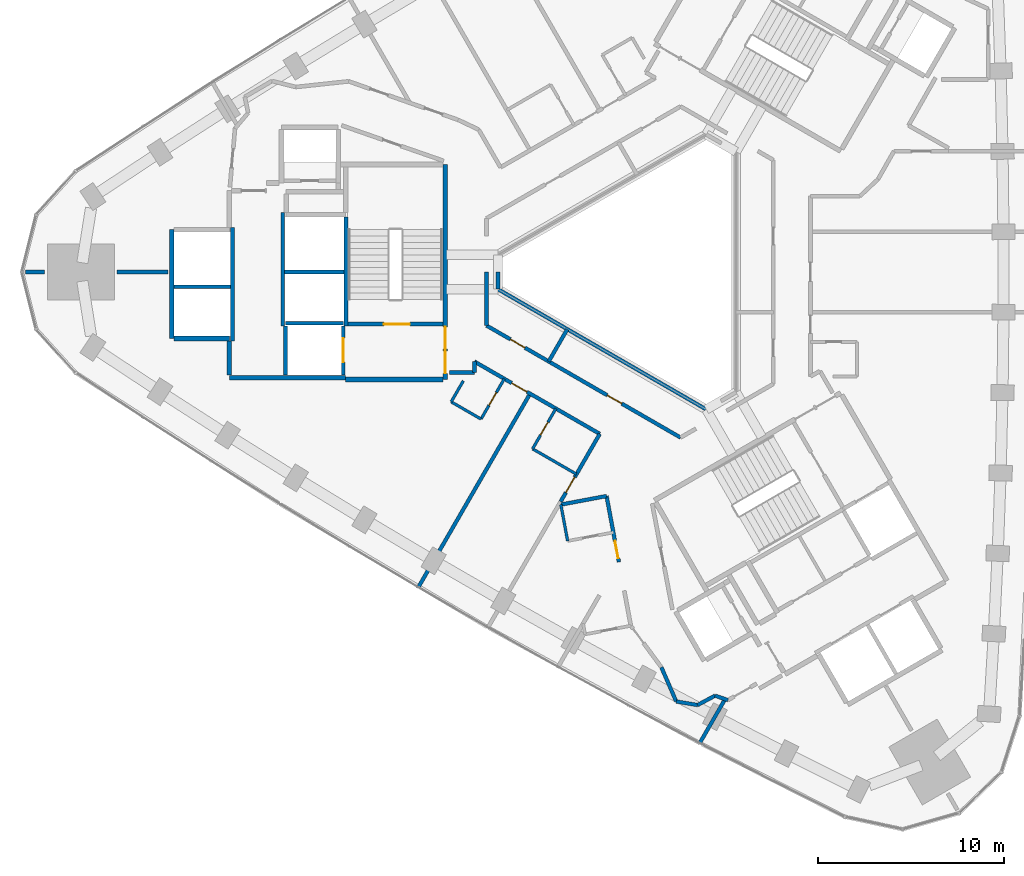
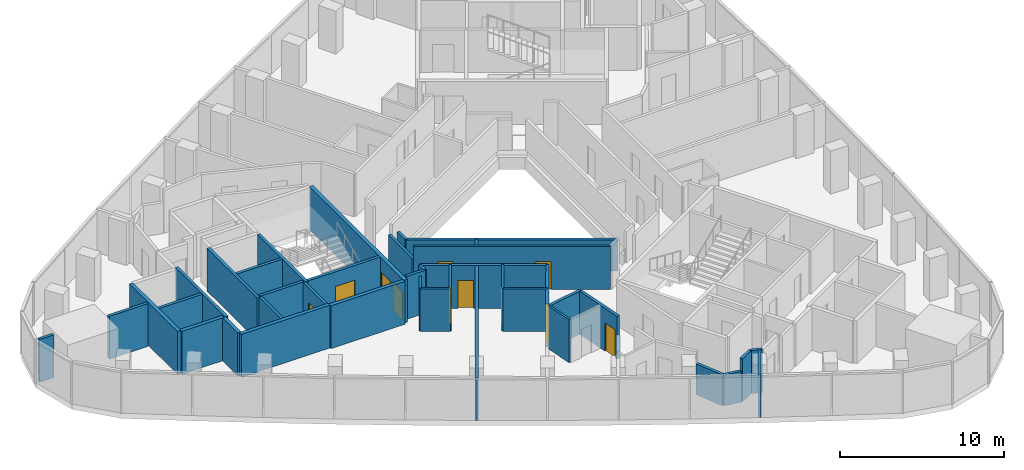
# One storey, part 8 of 13: 40 walls, 11 doors, 11 openings.
"""IFC4 building model written with IfcOpenShell, lengths in metres."""

import ifcopenshell
import ifcopenshell.guid

model = None  # the IFC model being written
_history = None  # IfcOwnerHistory: only IFC2X3 demands one
_inside = {}  # id of a spatial element -> (the spatial element, [elements in it])
_under = {}  # id of a project, library or spatial element -> (it, [spatial elements below it])
_declared = {}  # id of a project -> (the project, [libraries it declares])
_typed = {}  # id of a type object -> (the type object, [elements of that type])
_made_of = {}  # id of a material, layer set ... -> (it, [elements and type objects made of it])


def new_model(schema):
    """Start an empty IFC model of exactly this schema.

    Asked for "IFC4X3", IfcOpenShell would pick the latest addendum, in which some entities
    have other attributes; the version numbers below select the first issue.
    IFC2X3 requires an IfcOwnerHistory on every rooted entity: one is made here for all.
    """
    global model, _history
    if schema == "IFC4X3":
        model = ifcopenshell.file(schema_version=(4, 3, 0, 0))
    else:
        model = ifcopenshell.file(schema=schema)
    _inside.clear()
    _under.clear()
    _declared.clear()
    _typed.clear()
    _made_of.clear()
    _history = None
    if model.schema == "IFC2X3":
        org = make("IfcOrganization", Name="unknown")
        user = make(
            "IfcPersonAndOrganization",
            ThePerson=make("IfcPerson", FamilyName="unknown"),
            TheOrganization=org,
        )
        app = make(
            "IfcApplication",
            ApplicationDeveloper=org,
            Version="unknown",
            ApplicationFullName="unknown",
            ApplicationIdentifier="unknown",
        )
        _history = make(
            "IfcOwnerHistory",
            OwningUser=user,
            OwningApplication=app,
            ChangeAction="ADDED",
            CreationDate=0,
        )
    return model


def make(cls, **values):
    """One entity of the class cls with the attributes given. An attribute that is None is left unset."""
    return model.create_entity(
        cls, **{name: value for name, value in values.items() if value is not None}
    )


def rooted(cls, **values):
    """An entity with a GlobalId (a new one), such as an element, a storey or a relation."""
    return make(cls, GlobalId=ifcopenshell.guid.new(), OwnerHistory=_history, **values)


def si_unit(unit_type, name, prefix=None):
    """IfcSIUnit, for example si_unit("LENGTHUNIT", "METRE", prefix="MILLI")."""
    return make("IfcSIUnit", UnitType=unit_type, Prefix=prefix, Name=name)


def assignment(units):
    """IfcUnitAssignment: the units of a project."""
    return None if units is None else make("IfcUnitAssignment", Units=units)


def point(xyz):
    """IfcCartesianPoint."""
    return None if xyz is None else make("IfcCartesianPoint", Coordinates=xyz)


def direction(xyz):
    """IfcDirection."""
    return None if xyz is None else make("IfcDirection", DirectionRatios=xyz)


def frame(location, z_axis=None, x_axis=None):
    """IfcAxis2Placement3D, a coordinate frame: its origin and axes. An axis left out is left unset."""
    return make(
        "IfcAxis2Placement3D",
        Location=point(location),
        Axis=direction(z_axis),
        RefDirection=direction(x_axis),
    )


def frame_2d(location, x_axis=None):
    """IfcAxis2Placement2D, a coordinate frame in the plane: its origin and x axis."""
    return make(
        "IfcAxis2Placement2D", Location=point(location), RefDirection=direction(x_axis)
    )


def origin():
    """The frame at (0, 0, 0) with its axes left unset."""
    return frame((0.0, 0.0, 0.0))


def place(relative_to, where):
    """IfcLocalPlacement: puts the frame where relative to a parent placement (None: the world)."""
    return make(
        "IfcLocalPlacement", PlacementRelTo=relative_to, RelativePlacement=where
    )


def context(
    kind, dimensions, precision=None, world=None, true_north=None, identifier=None
):
    """IfcGeometricRepresentationContext, for example the 3D "Model" context."""
    return make(
        "IfcGeometricRepresentationContext",
        ContextIdentifier=identifier,
        ContextType=kind,
        CoordinateSpaceDimension=dimensions,
        Precision=precision,
        WorldCoordinateSystem=world,
        TrueNorth=true_north,
    )


def subcontext(parent, identifier, kind, view, scale=None):
    """IfcGeometricRepresentationSubContext, for example "Body" below "Model"."""
    return make(
        "IfcGeometricRepresentationSubContext",
        ContextIdentifier=identifier,
        ContextType=kind,
        ParentContext=parent,
        TargetScale=scale,
        TargetView=view,
    )


def project(units=None, contexts=None):
    """IfcProject with its units and contexts."""
    return rooted(
        "IfcProject",
        Name="project",
        RepresentationContexts=contexts,
        UnitsInContext=assignment(units),
    )


def spatial(cls, under=None, at=None, **own):
    """A site, building, storey or space (cls), placed at a placement, below another one or the project."""
    s = rooted(cls, ObjectPlacement=at, **own)
    if under is not None:
        _under.setdefault(under.id(), (under, []))[1].append(s)
    return s


def profile(cls, at=None, kind="AREA", **sizes):
    """A parametric profile (cls). Its sizes go by their IFC names, for example OverallWidth=200.0."""
    return make(cls, ProfileType=kind, Position=at, **sizes)


def rectangle(**sizes):
    """IfcRectangleProfileDef."""
    return profile("IfcRectangleProfileDef", **sizes)


def extrude(swept, where, along, depth):
    """IfcExtrudedAreaSolid: the profile swept, set in the frame where, extruded along a direction by depth."""
    return make(
        "IfcExtrudedAreaSolid",
        SweptArea=swept,
        Position=where,
        ExtrudedDirection=direction(along),
        Depth=depth,
    )


def shape(context_of_items, identifier, shape_type, items):
    """IfcShapeRepresentation: the items that make up one representation, for example the "Body"."""
    return make(
        "IfcShapeRepresentation",
        ContextOfItems=context_of_items,
        RepresentationIdentifier=identifier,
        RepresentationType=shape_type,
        Items=items,
    )


def material(Name=None, Category=None):
    """IfcMaterial."""
    return make("IfcMaterial", Name=Name, Category=Category)


def layer(
    of_material, thickness, ventilated=None, Name=None, Category=None, Priority=None
):
    """IfcMaterialLayer: one layer of a wall or slab, of a material (None: an air gap)."""
    return make(
        "IfcMaterialLayer",
        Material=of_material,
        LayerThickness=thickness,
        IsVentilated=ventilated,
        Name=Name,
        Category=Category,
        Priority=Priority,
    )


def layer_set(layers, Name=None):
    """IfcMaterialLayerSet."""
    return make("IfcMaterialLayerSet", MaterialLayers=layers, LayerSetName=Name)


def made_of(thing, what):
    """Note that an element or type object is made of a material, layer set ...; save() writes the relation."""
    if what is not None:
        _made_of.setdefault(what.id(), (what, []))[1].append(thing)
    return thing


def type_object(cls, material=None, **own):
    """A type object (cls), such as IfcWallType, which elements share."""
    return made_of(rooted(cls, **own), material)


def element(
    cls,
    number,
    at=None,
    inside=None,
    cuts=None,
    type_object=None,
    material=None,
    context=None,
    identifier="Body",
    shape_type=None,
    held_by="IfcProductDefinitionShape",
    body=None,
    shapes=None,
    **own,
):
    """One element of the class cls, such as IfcWall. Its Tag is "e" and its number.

    at: its placement. inside: the storey or other place that contains it. cuts: it is an
    opening in that element (IfcRelVoidsElement). A single representation is given by context,
    identifier, shape_type and body (its items); several are given by shapes. held_by: the class
    of the entity that holds the representations. save() writes the other relations.
    """
    e = rooted(cls, Tag="e%d" % number, ObjectPlacement=at, **own)
    if body is not None:
        shapes = [shape(context, identifier, shape_type, body)]
    if shapes is not None:
        e.Representation = make(held_by, Representations=shapes)
    if inside is not None:
        _inside.setdefault(inside.id(), (inside, []))[1].append(e)
    if cuts is not None:
        rooted(
            "IfcRelVoidsElement", RelatingBuildingElement=cuts, RelatedOpeningElement=e
        )
    if type_object is not None:
        _typed.setdefault(type_object.id(), (type_object, []))[1].append(e)
    return made_of(e, material)


def fill(opening, filler):
    """IfcRelFillsElement: the door or window that sits in an opening."""
    return rooted(
        "IfcRelFillsElement",
        RelatingOpeningElement=opening,
        RelatedBuildingElement=filler,
    )


def aggregate(whole, parts):
    """IfcRelAggregates: a whole, such as a stair, and the parts it consists of."""
    return rooted("IfcRelAggregates", RelatingObject=whole, RelatedObjects=parts)


def save(model, path):
    """Write the relations noted so far, then the file.

    IfcRelAggregates (storeys below a building ...), IfcRelContainedInSpatialStructure (elements
    in a storey), IfcRelDefinesByType, IfcRelAssociatesMaterial and IfcRelDeclares: one each for
    every whole, place, type object, material and project.
    """
    for whole, parts in _under.values():
        aggregate(whole, parts)
    for where, things in _inside.values():
        rooted(
            "IfcRelContainedInSpatialStructure",
            RelatedElements=things,
            RelatingStructure=where,
        )
    for kind, things in _typed.values():
        rooted("IfcRelDefinesByType", RelatedObjects=things, RelatingType=kind)
    for what, things in _made_of.values():
        rooted("IfcRelAssociatesMaterial", RelatedObjects=things, RelatingMaterial=what)
    for by, libraries in _declared.values():
        rooted("IfcRelDeclares", RelatingContext=by, RelatedDefinitions=libraries)
    model.write(path)


model = new_model("IFC4")

# Units and contexts
model_context = context("Model", 3, precision=1e-05, world=origin(), true_north=direction((0.0, 1.0)))
body_context = subcontext(model_context, "Body", "Model", "MODEL_VIEW")
ifc_project = project(units=[si_unit("LENGTHUNIT", "METRE"), si_unit("AREAUNIT", "SQUARE_METRE"), si_unit("VOLUMEUNIT", "CUBIC_METRE"), si_unit("PLANEANGLEUNIT", "RADIAN"), si_unit("MASSUNIT", "GRAM", prefix="KILO")], contexts=[model_context])

# Site, building, storey
site_placement = place(None, origin())
site = spatial("IfcSite", under=ifc_project, at=site_placement, CompositionType="ELEMENT")
building_placement = place(site_placement, origin())
building = spatial("IfcBuilding", under=site, at=building_placement, Name="Tamra Quay Hotel Tower", CompositionType="ELEMENT")
storey_placement = place(building_placement, frame((0.0, 0.0, 132.39990234375)))
storey = spatial("IfcBuildingStorey", under=building, at=storey_placement, Name="L32", CompositionType="ELEMENT", Elevation=132.39990234375)

# Walls
ifc_material_1 = material(Name="Concrete M70", Category="concrete")
ifc_layer_1 = layer(ifc_material_1, 0.199951171875)
ifc_layer_set_1 = layer_set([ifc_layer_1], Name="Concrete M70 core wall 200")
wall_type_1 = type_object("IfcWallType", Name="Concrete M70 core wall 200", PredefinedType="SHEAR", material=ifc_layer_set_1)
wall_1_placement = place(storey_placement, frame((-16.162109375, 2.95068359375, 0.0), z_axis=(0.0, 0.0, 1.0), x_axis=(0.0, -1.0, 0.0)))
element("IfcWall", 1, at=wall_1_placement, inside=storey, type_object=wall_type_1, Name="CW2", PredefinedType="SHEAR", context=body_context, shape_type="SweptSolid", body=[
    extrude(rectangle(XDim=5.850830078125, YDim=0.199951171875, at=frame_2d((2.92529296875, 0.0))), origin(), (0.0, 0.0, 1.0), 3.2001953125),
])
for number, where, z_axis, x_axis, name in (
    (2, (-19.5625, -2.900146484375, 0.0), (0.0, 0.0, 1.0), (0.0, 1.0, 0.0), "CW2"),
    (3, (-22.26220703125, 2.400146484375, 0.0), (0.0, 0.0, 1.0), (0.0, -1.0, 0.0), "CW2"),
):
    element("IfcWall", number, at=place(storey_placement, frame(where, z_axis=z_axis, x_axis=x_axis)), inside=storey, type_object=wall_type_1, Name=name, PredefinedType="SHEAR", context=body_context, shape_type="SweptSolid", body=[
        extrude(rectangle(XDim=6.100341796875, YDim=0.199951171875, at=frame_2d((3.05029296875, 0.0))), origin(), (0.0, 0.0, 1.0), 3.2001953125),
    ])

# Wall, opening, door
wall_2_placement = place(storey_placement, frame((-10.96337890625, -2.800048828125, 0.0), z_axis=(0.0, 0.0, 1.0), x_axis=(-1.0, 0.0, 0.0)))
wall_2 = element("IfcWall", 4, at=wall_2_placement, inside=storey, type_object=wall_type_1, Name="CW2", PredefinedType="SHEAR", context=body_context, shape_type="SweptSolid", body=[
    extrude(rectangle(XDim=5.097900390625, YDim=0.199951171875, at=frame_2d((2.548828125, 0.0))), origin(), (0.0, 0.0, 1.0), 3.2001953125),
])
opening_1_placement = place(wall_2_placement, frame((1.77392578125, 0.0, 0.0)))
opening_1 = element("IfcOpeningElement", 5, at=opening_1_placement, cuts=wall_2, Name="Opening FD2", PredefinedType="OPENING", context=body_context, shape_type="SweptSolid", body=[
    extrude(rectangle(XDim=1.39990234375, YDim=2.10009765625, at=frame_2d((0.699951171875, 1.050048828125))), frame((0.0, 0.10986328125, 0.0), z_axis=(0.0, -1.0, 0.0), x_axis=(1.0, 0.0, 0.0)), (0.0, 0.0, 1.0), 0.219970703125),
])
ifc_material_2 = material(Name="Core door FD2 1400x2100 RH")
door_type_1 = type_object("IfcDoorType", Name="Core door FD2 1400x2100 RH", OperationType="NOTDEFINED", PredefinedType="DOOR", material=ifc_material_2)
door_1_placement = place(opening_1_placement, origin())
door_1 = element("IfcDoor", 6, at=door_1_placement, inside=storey, type_object=door_type_1, Name="FD2", OperationType="SINGLE_SWING_RIGHT", OverallHeight=2.10009765625, OverallWidth=1.39990234375, PredefinedType="DOOR", context=body_context, shape_type="SweptSolid", body=[
    extrude(rectangle(XDim=1.39990234375, YDim=2.10009765625, at=frame_2d((0.699951171875, 1.050048828125))), frame((0.0, 0.02490234375, 0.0), z_axis=(0.0, -1.0, 0.0), x_axis=(1.0, 0.0, 0.0)), (0.0, 0.0, 1.0), 0.050048828125),
])
fill(opening_1, door_1)

# Walls
wall_3_placement = place(storey_placement, frame((-16.26318359375, 0.0, 0.0), z_axis=(0.0, 0.0, 1.0), x_axis=(-1.0, 0.0, 0.0)))
element("IfcWall", 7, at=wall_3_placement, inside=storey, type_object=wall_type_1, Name="CW2", PredefinedType="SHEAR", context=body_context, shape_type="SweptSolid", body=[
    extrude(rectangle(XDim=3.1982421875, YDim=0.199951171875, at=frame_2d((1.59912109375, 0.0))), origin(), (0.0, 0.0, 1.0), 3.2001953125),
])
wall_4_placement = place(storey_placement, frame((-22.36328125, -0.800048828125, 0.0), z_axis=(0.0, 0.0, 1.0), x_axis=(-1.0, 0.0, 0.0)))
element("IfcWall", 8, at=wall_4_placement, inside=storey, type_object=wall_type_1, Name="CW2", PredefinedType="SHEAR", context=body_context, shape_type="SweptSolid", body=[
    extrude(rectangle(XDim=3.048095703125, YDim=0.199951171875, at=frame_2d((1.52392578125, 0.0))), origin(), (0.0, 0.0, 1.0), 3.2001953125),
])
wall_5_placement = place(storey_placement, frame((-19.412353515625, -2.75, 0.0), z_axis=(0.0, 0.0, 1.0), x_axis=(1.0, 0.0, 0.0)))
element("IfcWall", 9, at=wall_5_placement, inside=storey, type_object=wall_type_1, Name="CW2", PredefinedType="SHEAR", context=body_context, shape_type="SweptSolid", body=[
    extrude(rectangle(XDim=3.10009765625, YDim=0.199951171875, at=frame_2d((1.550048828125, 0.0))), origin(), (0.0, 0.0, 1.0), 3.2001953125),
])

# Wall, opening, door
wall_6_placement = place(storey_placement, frame((-16.312255859375, -2.898193359375, 0.0), z_axis=(0.0, 0.0, 1.0), x_axis=(0.0, -1.0, 0.0)))
wall_6 = element("IfcWall", 10, at=wall_6_placement, inside=storey, type_object=wall_type_1, Name="CW2", PredefinedType="SHEAR", context=body_context, shape_type="SweptSolid", body=[
    extrude(rectangle(XDim=2.65087890625, YDim=0.199951171875, at=frame_2d((1.325439453125, 0.0))), origin(), (0.0, 0.0, 1.0), 3.2001953125),
])
opening_2_placement = place(wall_6_placement, frame((0.65185546875, 0.0, 0.0)))
opening_2 = element("IfcOpeningElement", 11, at=opening_2_placement, cuts=wall_6, Name="Opening LD", PredefinedType="OPENING", context=body_context, shape_type="SweptSolid", body=[
    extrude(rectangle(XDim=1.300048828125, YDim=2.10009765625, at=frame_2d((0.64990234375, 1.050048828125))), frame((0.0, 0.10986328125, 0.0), z_axis=(0.0, -1.0, 0.0), x_axis=(1.0, 0.0, 0.0)), (0.0, 0.0, 1.0), 0.219970703125),
])
ifc_material_3 = material(Name="Landing door LD 1300 sliding to right")
door_type_2 = type_object("IfcDoorType", Name="Landing door LD 1300 sliding to right", OperationType="NOTDEFINED", PredefinedType="DOOR", material=ifc_material_3)
door_2_placement = place(opening_2_placement, origin())
door_2 = element("IfcDoor", 12, at=door_2_placement, inside=storey, type_object=door_type_2, Name="LD", OperationType="SLIDING_TO_RIGHT", OverallHeight=2.10009765625, OverallWidth=1.300048828125, PredefinedType="DOOR", context=body_context, shape_type="SweptSolid", body=[
    extrude(rectangle(XDim=1.300048828125, YDim=2.10009765625, at=frame_2d((0.64990234375, 1.050048828125))), frame((0.0, 0.02490234375, 0.0), z_axis=(0.0, -1.0, 0.0), x_axis=(1.0, 0.0, 0.0)), (0.0, 0.0, 1.0), 0.050048828125),
])
fill(opening_2, door_2)

# Wall
wall_7_placement = place(storey_placement, frame((-19.412353515625, -5.549072265625, 0.0), z_axis=(0.0, 0.0, 1.0), x_axis=(0.0, 1.0, 0.0)))
element("IfcWall", 13, at=wall_7_placement, inside=storey, type_object=wall_type_1, Name="CW2", PredefinedType="SHEAR", context=body_context, shape_type="SweptSolid", body=[
    extrude(rectangle(XDim=2.65087890625, YDim=0.199951171875, at=frame_2d((1.325439453125, 0.0))), origin(), (0.0, 0.0, 1.0), 3.2001953125),
])

# Wall, openings, doors
ifc_layer_2 = layer(ifc_material_1, 0.25)
ifc_layer_set_2 = layer_set([ifc_layer_2], Name="Concrete M70 core wall 250")
wall_type_2 = type_object("IfcWallType", Name="Concrete M70 core wall 250", PredefinedType="SHEAR", material=ifc_layer_set_2)
wall_8_placement = place(storey_placement, frame((-10.83740234375, 5.77490234375, 0.0), z_axis=(0.0, 0.0, 1.0), x_axis=(0.0, -1.0, 0.0)))
wall_8 = element("IfcWall", 14, at=wall_8_placement, inside=storey, type_object=wall_type_2, Name="CW1", PredefinedType="SHEAR", context=body_context, shape_type="SweptSolid", body=[
    extrude(rectangle(XDim=11.5498046875, YDim=0.25, at=frame_2d((5.77490234375, 0.0))), origin(), (0.0, 0.0, 1.0), 3.2001953125),
])
opening_3_placement = place(wall_8_placement, frame((10.02490234375, 0.0, 0.0)))
opening_3 = element("IfcOpeningElement", 15, at=opening_3_placement, cuts=wall_8, Name="Opening FD1", PredefinedType="OPENING", context=body_context, shape_type="SweptSolid", body=[
    extrude(rectangle(XDim=1.199951171875, YDim=2.10009765625, at=frame_2d((0.60009765625, 1.050048828125))), frame((0.0, 0.135009765625, 0.0), z_axis=(0.0, -1.0, 0.0), x_axis=(1.0, 0.0, 0.0)), (0.0, 0.0, 1.0), 0.27001953125),
])
opening_4_placement = place(wall_8_placement, frame((8.72509765625, 0.0, 0.0)))
opening_4 = element("IfcOpeningElement", 16, at=opening_4_placement, cuts=wall_8, Name="Opening FD1", PredefinedType="OPENING", context=body_context, shape_type="SweptSolid", body=[
    extrude(rectangle(XDim=1.199951171875, YDim=2.10009765625, at=frame_2d((0.60009765625, 1.050048828125))), frame((0.0, 0.135009765625, 0.0), z_axis=(0.0, -1.0, 0.0), x_axis=(1.0, 0.0, 0.0)), (0.0, 0.0, 1.0), 0.27001953125),
])
ifc_material_4 = material(Name="Core door FD1 1200x2100 LH")
door_type_3 = type_object("IfcDoorType", Name="Core door FD1 1200x2100 LH", OperationType="NOTDEFINED", PredefinedType="DOOR", material=ifc_material_4)
door_3_placement = place(opening_3_placement, origin())
door_3 = element("IfcDoor", 17, at=door_3_placement, inside=storey, type_object=door_type_3, Name="FD1", OperationType="SINGLE_SWING_LEFT", OverallHeight=2.10009765625, OverallWidth=1.199951171875, PredefinedType="DOOR", context=body_context, shape_type="SweptSolid", body=[
    extrude(rectangle(XDim=1.199951171875, YDim=2.10009765625, at=frame_2d((0.60009765625, 1.050048828125))), frame((0.0, 0.02490234375, 0.0), z_axis=(0.0, -1.0, 0.0), x_axis=(1.0, 0.0, 0.0)), (0.0, 0.0, 1.0), 0.050048828125),
])
fill(opening_3, door_3)
ifc_material_5 = material(Name="Core door FD1 1200x2100 RH")
door_type_4 = type_object("IfcDoorType", Name="Core door FD1 1200x2100 RH", OperationType="NOTDEFINED", PredefinedType="DOOR", material=ifc_material_5)
door_4_placement = place(opening_4_placement, origin())
door_4 = element("IfcDoor", 18, at=door_4_placement, inside=storey, type_object=door_type_4, Name="FD1", OperationType="SINGLE_SWING_RIGHT", OverallHeight=2.10009765625, OverallWidth=1.199951171875, PredefinedType="DOOR", context=body_context, shape_type="SweptSolid", body=[
    extrude(rectangle(XDim=1.199951171875, YDim=2.10009765625, at=frame_2d((0.60009765625, 1.050048828125))), frame((0.0, 0.02490234375, 0.0), z_axis=(0.0, -1.0, 0.0), x_axis=(1.0, 0.0, 0.0)), (0.0, 0.0, 1.0), 0.050048828125),
])
fill(opening_4, door_4)

# Walls
wall_9_placement = place(storey_placement, frame((-16.187255859375, -5.675048828125, 0.0), z_axis=(0.0, 0.0, 1.0), x_axis=(-1.0, 0.0, 0.0)))
element("IfcWall", 19, at=wall_9_placement, inside=storey, type_object=wall_type_2, Name="CW1", PredefinedType="SHEAR", context=body_context, shape_type="SweptSolid", body=[
    extrude(rectangle(XDim=6.25, YDim=0.25, at=frame_2d((3.125, 0.0))), origin(), (0.0, 0.0, 1.0), 3.2001953125),
])
wall_10_placement = place(storey_placement, frame((-25.537353515625, -3.574951171875, 0.0), z_axis=(0.0, 0.0, 1.0), x_axis=(0.0, 1.0, 0.0)))
element("IfcWall", 20, at=wall_10_placement, inside=storey, type_object=wall_type_2, Name="CW1", PredefinedType="SHEAR", context=body_context, shape_type="SweptSolid", body=[
    extrude(rectangle(XDim=5.849853515625, YDim=0.25, at=frame_2d((2.9248046875, 0.0))), origin(), (0.0, 0.0, 1.0), 3.2001953125),
])
wall_11_placement = place(storey_placement, frame((-10.962646484375, -5.77490234375, 0.0), z_axis=(0.0, 0.0, 1.0), x_axis=(-1.0, 0.0, 0.0)))
element("IfcWall", 21, at=wall_11_placement, inside=storey, type_object=wall_type_2, Name="CW1", PredefinedType="SHEAR", context=body_context, shape_type="SweptSolid", body=[
    extrude(rectangle(XDim=5.224609375, YDim=0.25, at=frame_2d((2.6123046875, 0.0))), origin(), (0.0, 0.0, 1.0), 3.2001953125),
])
wall_12_placement = place(storey_placement, frame((-22.437255859375, -3.574951171875, 0.0), z_axis=(0.0, 0.0, 1.0), x_axis=(-1.0, 0.0, 0.0)))
element("IfcWall", 22, at=wall_12_placement, inside=storey, type_object=wall_type_2, Name="CW1", PredefinedType="SHEAR", context=body_context, shape_type="SweptSolid", body=[
    extrude(rectangle(XDim=2.974609375, YDim=0.25, at=frame_2d((1.4873046875, 0.0))), origin(), (0.0, 0.0, 1.0), 3.2001953125),
])
wall_13_placement = place(storey_placement, frame((-22.437255859375, -5.549560546875, 0.0), z_axis=(0.0, 0.0, 1.0), x_axis=(0.0, 1.0, 0.0)))
element("IfcWall", 23, at=wall_13_placement, inside=storey, type_object=wall_type_2, Name="CW1", PredefinedType="SHEAR", context=body_context, shape_type="SweptSolid", body=[
    extrude(rectangle(XDim=1.84912109375, YDim=0.25, at=frame_2d((0.924560546875, 0.0))), origin(), (0.0, 0.0, 1.0), 3.2001953125),
])
ifc_material_6 = material(Name="Partition corridor wall")
ifc_layer_3 = layer(ifc_material_6, 0.199951171875)
ifc_layer_set_3 = layer_set([ifc_layer_3], Name="Partition corridor wall")
wall_type_3 = type_object("IfcWallType", Name="Partition corridor wall", PredefinedType="PARTITIONING", material=ifc_layer_set_3)
wall_14_placement = place(storey_placement, frame((-10.616943359375, -5.39990234375, 0.0), z_axis=(0.0, 0.0, 1.0), x_axis=(1.0, 0.0, 0.0)))
element("IfcWall", 24, at=wall_14_placement, inside=storey, type_object=wall_type_3, Name="W-C", PredefinedType="PARTITIONING", context=body_context, shape_type="SweptSolid", body=[
    extrude(rectangle(XDim=1.35498046875, YDim=0.199951171875, at=frame_2d((0.677490234375, 0.0))), origin(), (0.0, 0.0, 1.0), 3.2001953125),
])

# Wall, opening, door
wall_15_placement = place(storey_placement, frame((-9.26220703125, -4.814453125, 0.0), z_axis=(0.0, 0.0, 1.0), x_axis=(0.866109782156, -0.499853823887, 0.0)))
wall_15 = element("IfcWall", 25, at=wall_15_placement, inside=storey, type_object=wall_type_3, Name="W-C", PredefinedType="PARTITIONING", context=body_context, shape_type="SweptSolid", body=[
    extrude(rectangle(XDim=7.775634765625, YDim=0.199951171875, at=frame_2d((3.8876953125, 0.0))), origin(), (0.0, 0.0, 1.0), 3.2001953125),
])
opening_5_placement = place(wall_15_placement, frame((2.314208984375, 0.0, 0.0)))
opening_5 = element("IfcOpeningElement", 26, at=opening_5_placement, cuts=wall_15, Name="Opening L32-D014", PredefinedType="OPENING", context=body_context, shape_type="SweptSolid", body=[
    extrude(rectangle(XDim=0.949951171875, YDim=2.10009765625, at=frame_2d((0.47509765625, 1.050048828125))), frame((0.0, 0.10986328125, 0.0), z_axis=(0.0, -1.0, 0.0), x_axis=(1.0, 0.0, 0.0)), (0.0, 0.0, 1.0), 0.219970703125),
])
ifc_material_7 = material(Name="Door guest room 950x2100")
door_type_5 = type_object("IfcDoorType", Name="Door guest room 950x2100", OperationType="NOTDEFINED", PredefinedType="DOOR", material=ifc_material_7)
door_5_placement = place(opening_5_placement, frame((0.949951171875, 0.0, 0.0), z_axis=(0.0, 0.0, 1.0), x_axis=(-1.0, 0.0, 0.0)))
door_5 = element("IfcDoor", 27, at=door_5_placement, inside=storey, type_object=door_type_5, Name="L32-D014", OperationType="SINGLE_SWING_LEFT", OverallHeight=2.10009765625, OverallWidth=0.949951171875, PredefinedType="DOOR", context=body_context, shape_type="SweptSolid", body=[
    extrude(rectangle(XDim=0.949951171875, YDim=2.10009765625, at=frame_2d((0.47509765625, 1.050048828125))), frame((0.0, 0.02490234375, 0.0), z_axis=(0.0, -1.0, 0.0), x_axis=(1.0, 0.0, 0.0)), (0.0, 0.0, 1.0), 0.050048828125),
])
fill(opening_5, door_5)

# Walls
wall_16_placement = place(storey_placement, frame((-9.261962890625, -5.39990234375, 0.0), z_axis=(0.0, 0.0, 1.0), x_axis=(0.0, 1.0, 0.0)))
element("IfcWall", 28, at=wall_16_placement, inside=storey, type_object=wall_type_3, Name="W-C", PredefinedType="PARTITIONING", context=body_context, shape_type="SweptSolid", body=[
    extrude(rectangle(XDim=0.5859375, YDim=0.199951171875, at=frame_2d((0.29296875, 0.0))), origin(), (0.0, 0.0, 1.0), 3.2001953125),
])
wall_17_placement = place(storey_placement, frame((-8.612060546875, -2.8798828125, 0.0), z_axis=(0.0, 0.0, 1.0), x_axis=(0.0, 1.0, 0.0)))
element("IfcWall", 29, at=wall_17_placement, inside=storey, type_object=wall_type_3, Name="W-C", PredefinedType="PARTITIONING", context=body_context, shape_type="SweptSolid", body=[
    extrude(rectangle(XDim=2.890869140625, YDim=0.199951171875, at=frame_2d((1.4453125, 0.0))), origin(), (0.0, 0.0, 1.0), 2.300048828125),
])

# Wall, openings, doors
wall_18_placement = place(storey_placement, frame((-8.612060546875, -2.8798828125, 0.0), z_axis=(0.0, 0.0, 1.0), x_axis=(0.866035279512, -0.499982894348, 0.0)))
wall_18 = element("IfcWall", 30, at=wall_18_placement, inside=storey, type_object=wall_type_3, Name="W-C", PredefinedType="PARTITIONING", context=body_context, shape_type="SweptSolid", body=[
    extrude(rectangle(XDim=12.03662109375, YDim=0.199951171875, at=frame_2d((6.018310546875, 0.0))), origin(), (0.0, 0.0, 1.0), 3.2001953125),
])
opening_6_placement = place(wall_18_placement, frame((1.484130859375, 0.0, 0.0)))
opening_6 = element("IfcOpeningElement", 31, at=opening_6_placement, cuts=wall_18, Name="Opening L32-D028", PredefinedType="OPENING", context=body_context, shape_type="SweptSolid", body=[
    extrude(rectangle(XDim=0.89990234375, YDim=2.10009765625, at=frame_2d((0.449951171875, 1.050048828125))), frame((0.0, 0.10986328125, 0.0), z_axis=(0.0, -1.0, 0.0), x_axis=(1.0, 0.0, 0.0)), (0.0, 0.0, 1.0), 0.219970703125),
])
opening_7_placement = place(wall_18_placement, frame((7.49072265625, 0.0, 0.0)))
opening_7 = element("IfcOpeningElement", 32, at=opening_7_placement, cuts=wall_18, Name="Opening L32-D029", PredefinedType="OPENING", context=body_context, shape_type="SweptSolid", body=[
    extrude(rectangle(XDim=0.89990234375, YDim=2.10009765625, at=frame_2d((0.449951171875, 1.050048828125))), frame((0.0, 0.10986328125, 0.0), z_axis=(0.0, -1.0, 0.0), x_axis=(1.0, 0.0, 0.0)), (0.0, 0.0, 1.0), 0.219970703125),
])
ifc_material_8 = material(Name="Door service room 900x2100")
door_type_6 = type_object("IfcDoorType", Name="Door service room 900x2100", OperationType="NOTDEFINED", PredefinedType="DOOR", material=ifc_material_8)
door_6_placement = place(opening_6_placement, origin())
door_6 = element("IfcDoor", 33, at=door_6_placement, inside=storey, type_object=door_type_6, Name="L32-D028", OperationType="SINGLE_SWING_LEFT", OverallHeight=2.10009765625, OverallWidth=0.89990234375, PredefinedType="DOOR", context=body_context, shape_type="SweptSolid", body=[
    extrude(rectangle(XDim=0.89990234375, YDim=2.10009765625, at=frame_2d((0.449951171875, 1.050048828125))), frame((0.0, 0.02490234375, 0.0), z_axis=(0.0, -1.0, 0.0), x_axis=(1.0, 0.0, 0.0)), (0.0, 0.0, 1.0), 0.050048828125),
])
fill(opening_6, door_6)
door_7_placement = place(opening_7_placement, origin())
door_7 = element("IfcDoor", 34, at=door_7_placement, inside=storey, type_object=door_type_6, Name="L32-D029", OperationType="SINGLE_SWING_LEFT", OverallHeight=2.10009765625, OverallWidth=0.89990234375, PredefinedType="DOOR", context=body_context, shape_type="SweptSolid", body=[
    extrude(rectangle(XDim=0.89990234375, YDim=2.10009765625, at=frame_2d((0.449951171875, 1.050048828125))), frame((0.0, 0.02490234375, 0.0), z_axis=(0.0, -1.0, 0.0), x_axis=(1.0, 0.0, 0.0)), (0.0, 0.0, 1.0), 0.050048828125),
])
fill(opening_7, door_7)

# Wall, opening, door
wall_19_placement = place(storey_placement, frame((-4.62890625, -12.341064453125, 0.0), z_axis=(0.0, 0.0, 1.0), x_axis=(0.500069467685, 0.865985292883, 0.0)))
wall_19 = element("IfcWall", 35, at=wall_19_placement, inside=storey, type_object=wall_type_3, Name="W-C", PredefinedType="PARTITIONING", context=body_context, shape_type="SweptSolid", body=[
    extrude(rectangle(XDim=4.2021484375, YDim=0.199951171875, at=frame_2d((2.10107421875, 0.0))), origin(), (0.0, 0.0, 1.0), 3.2001953125),
])
opening_8_placement = place(wall_19_placement, frame((0.563720703125, 0.0, 0.0)))
opening_8 = element("IfcOpeningElement", 36, at=opening_8_placement, cuts=wall_19, Name="Opening L32-D016", PredefinedType="OPENING", context=body_context, shape_type="SweptSolid", body=[
    extrude(rectangle(XDim=0.949951171875, YDim=2.10009765625, at=frame_2d((0.47509765625, 1.050048828125))), frame((0.0, 0.10986328125, 0.0), z_axis=(0.0, -1.0, 0.0), x_axis=(1.0, 0.0, 0.0)), (0.0, 0.0, 1.0), 0.219970703125),
])
door_8_placement = place(opening_8_placement, origin())
door_8 = element("IfcDoor", 37, at=door_8_placement, inside=storey, type_object=door_type_5, Name="L32-D016", OperationType="SINGLE_SWING_LEFT", OverallHeight=2.10009765625, OverallWidth=0.949951171875, PredefinedType="DOOR", context=body_context, shape_type="SweptSolid", body=[
    extrude(rectangle(XDim=0.949951171875, YDim=2.10009765625, at=frame_2d((0.47509765625, 1.050048828125))), frame((0.0, 0.02490234375, 0.0), z_axis=(0.0, -1.0, 0.0), x_axis=(1.0, 0.0, 0.0)), (0.0, 0.0, 1.0), 0.050048828125),
])
fill(opening_8, door_8)

# Wall
wall_20_placement = place(storey_placement, frame((-4.60009765625, -12.498046875, 0.0), z_axis=(0.0, 0.0, 1.0), x_axis=(0.982950102255, 0.183872500602, 0.0)))
element("IfcWall", 38, at=wall_20_placement, inside=storey, type_object=wall_type_3, Name="W-C", PredefinedType="PARTITIONING", context=body_context, shape_type="SweptSolid", body=[
    extrude(rectangle(XDim=2.480224609375, YDim=0.199951171875, at=frame_2d((1.240234375, 0.0))), origin(), (0.0, 0.0, 1.0), 3.2001953125),
])

# Wall, opening, door
wall_21_placement = place(storey_placement, frame((-2.16259765625, -12.0419921875, 0.0), z_axis=(0.0, 0.0, 1.0), x_axis=(0.183945287989, -0.982936483719, 0.0)))
wall_21 = element("IfcWall", 39, at=wall_21_placement, inside=storey, type_object=wall_type_3, Name="W-C", PredefinedType="PARTITIONING", context=body_context, shape_type="SweptSolid", body=[
    extrude(rectangle(XDim=3.607421875, YDim=0.199951171875, at=frame_2d((1.8037109375, 0.0))), origin(), (0.0, 0.0, 1.0), 3.2001953125),
])
opening_9_placement = place(wall_21_placement, frame((2.45751953125, 0.0, 0.0)))
opening_9 = element("IfcOpeningElement", 40, at=opening_9_placement, cuts=wall_21, Name="Opening L32-D018", PredefinedType="OPENING", context=body_context, shape_type="SweptSolid", body=[
    extrude(rectangle(XDim=0.949951171875, YDim=2.10009765625, at=frame_2d((0.47509765625, 1.050048828125))), frame((0.0, 0.10986328125, 0.0), z_axis=(0.0, -1.0, 0.0), x_axis=(1.0, 0.0, 0.0)), (0.0, 0.0, 1.0), 0.219970703125),
])
door_9_placement = place(opening_9_placement, frame((0.949951171875, 0.0, 0.0), z_axis=(0.0, 0.0, 1.0), x_axis=(-1.0, 0.0, 0.0)))
door_9 = element("IfcDoor", 41, at=door_9_placement, inside=storey, type_object=door_type_5, Name="L32-D018", OperationType="SINGLE_SWING_LEFT", OverallHeight=2.10009765625, OverallWidth=0.949951171875, PredefinedType="DOOR", context=body_context, shape_type="SweptSolid", body=[
    extrude(rectangle(XDim=0.949951171875, YDim=2.10009765625, at=frame_2d((0.47509765625, 1.050048828125))), frame((0.0, 0.02490234375, 0.0), z_axis=(0.0, -1.0, 0.0), x_axis=(1.0, 0.0, 0.0)), (0.0, 0.0, 1.0), 0.050048828125),
])
fill(opening_9, door_9)

# Walls
wall_22_placement = place(storey_placement, frame((0.784912109375, -21.24609375, 0.0), z_axis=(0.0, 0.0, 1.0), x_axis=(0.398365586627, -0.917226721913, 0.0)))
element("IfcWall", 42, at=wall_22_placement, inside=storey, type_object=wall_type_3, Name="W-C", PredefinedType="PARTITIONING", context=body_context, shape_type="SweptSolid", body=[
    extrude(rectangle(XDim=2.005859375, YDim=0.199951171875, at=frame_2d((1.0029296875, 0.0))), origin(), (0.0, 0.0, 1.0), 2.300048828125),
])
wall_23_placement = place(storey_placement, frame((1.583984375, -23.0859375, 0.0), z_axis=(0.0, 0.0, 1.0), x_axis=(0.986654221629, -0.162829502674, 0.0)))
element("IfcWall", 43, at=wall_23_placement, inside=storey, type_object=wall_type_3, Name="W-C", PredefinedType="PARTITIONING", context=body_context, shape_type="SweptSolid", body=[
    extrude(rectangle(XDim=1.160400390625, YDim=0.199951171875, at=frame_2d((0.580078125, 0.0))), origin(), (0.0, 0.0, 1.0), 2.300048828125),
])
wall_24_placement = place(storey_placement, frame((2.72998046875, -23.27490234375, 0.0), z_axis=(0.0, 0.0, 1.0), x_axis=(0.880927165636, 0.473251866182, 0.0)))
element("IfcWall", 44, at=wall_24_placement, inside=storey, type_object=wall_type_3, Name="W-C", PredefinedType="PARTITIONING", context=body_context, shape_type="SweptSolid", body=[
    extrude(rectangle(XDim=1.064697265625, YDim=0.199951171875, at=frame_2d((0.5322265625, 0.0))), origin(), (0.0, 0.0, 1.0), 3.2001953125),
])
wall_25_placement = place(storey_placement, frame((3.66796875, -22.77099609375, 0.0), z_axis=(0.0, 0.0, 1.0), x_axis=(0.944447470761, -0.328662402738, 0.0)))
element("IfcWall", 45, at=wall_25_placement, inside=storey, type_object=wall_type_3, Name="W-C", PredefinedType="PARTITIONING", context=body_context, shape_type="SweptSolid", body=[
    extrude(rectangle(XDim=0.734619140625, YDim=0.199951171875, at=frame_2d((0.3671875, 0.0))), origin(), (0.0, 0.0, 1.0), 3.2001953125),
])
ifc_material_9 = material(Name="Partition en-suite wall")
ifc_layer_4 = layer(ifc_material_9, 0.14990234375)
ifc_layer_set_4 = layer_set([ifc_layer_4], Name="Partition en-suite wall")
wall_type_4 = type_object("IfcWallType", Name="Partition en-suite wall", PredefinedType="PARTITIONING", material=ifc_layer_set_4)
wall_26_placement = place(storey_placement, frame((-10.510986328125, -6.97705078125, 0.0), z_axis=(0.0, 0.0, 1.0), x_axis=(0.500274472704, 0.865866878891, 0.0)))
element("IfcWall", 46, at=wall_26_placement, inside=storey, type_object=wall_type_4, Name="W-E", PredefinedType="PARTITIONING", context=body_context, shape_type="SweptSolid", body=[
    extrude(rectangle(XDim=1.301513671875, YDim=0.14990234375, at=frame_2d((0.65087890625, 0.0))), origin(), (0.0, 0.0, 1.0), 3.2001953125),
])
wall_27_placement = place(storey_placement, frame((-10.510009765625, -6.97998046875, 0.0), z_axis=(0.0, 0.0, 1.0), x_axis=(0.865965533559, -0.500103683937, 0.0)))
element("IfcWall", 47, at=wall_27_placement, inside=storey, type_object=wall_type_4, Name="W-E", PredefinedType="PARTITIONING", context=body_context, shape_type="SweptSolid", body=[
    extrude(rectangle(XDim=1.84765625, YDim=0.14990234375, at=frame_2d((0.923828125, 0.0))), origin(), (0.0, 0.0, 1.0), 3.2001953125),
])

# Wall, opening, door
wall_28_placement = place(storey_placement, frame((-8.906982421875, -7.903076171875, 0.0), z_axis=(0.0, 0.0, 1.0), x_axis=(0.499925626596, 0.866068339032, 0.0)))
wall_28 = element("IfcWall", 48, at=wall_28_placement, inside=storey, type_object=wall_type_4, Name="W-E", PredefinedType="PARTITIONING", context=body_context, shape_type="SweptSolid", body=[
    extrude(rectangle(XDim=2.49658203125, YDim=0.14990234375, at=frame_2d((1.248291015625, 0.0))), origin(), (0.0, 0.0, 1.0), 3.2001953125),
])
opening_10_placement = place(wall_28_placement, frame((0.847900390625, 0.0, 0.0)))
opening_10 = element("IfcOpeningElement", 49, at=opening_10_placement, cuts=wall_28, Name="Opening L32-D015", PredefinedType="OPENING", context=body_context, shape_type="SweptSolid", body=[
    extrude(rectangle(XDim=0.800048828125, YDim=2.10009765625, at=frame_2d((0.39990234375, 1.050048828125))), frame((0.0, 0.0849609375, 0.0), z_axis=(0.0, -1.0, 0.0), x_axis=(1.0, 0.0, 0.0)), (0.0, 0.0, 1.0), 0.169921875),
])
ifc_material_10 = material(Name="Door en-suite 800x2100")
door_type_7 = type_object("IfcDoorType", Name="Door en-suite 800x2100", OperationType="NOTDEFINED", PredefinedType="DOOR", material=ifc_material_10)
door_10_placement = place(opening_10_placement, origin())
door_10 = element("IfcDoor", 50, at=door_10_placement, inside=storey, type_object=door_type_7, Name="L32-D015", OperationType="SINGLE_SWING_LEFT", OverallHeight=2.10009765625, OverallWidth=0.800048828125, PredefinedType="DOOR", context=body_context, shape_type="SweptSolid", body=[
    extrude(rectangle(XDim=0.800048828125, YDim=2.10009765625, at=frame_2d((0.39990234375, 1.050048828125))), frame((0.0, 0.02490234375, 0.0), z_axis=(0.0, -1.0, 0.0), x_axis=(1.0, 0.0, 0.0)), (0.0, 0.0, 1.0), 0.050048828125),
])
fill(opening_10, door_10)

# Wall
wall_29_placement = place(storey_placement, frame((-6.13720703125, -9.50537109375, 0.0), z_axis=(0.0, 0.0, 1.0), x_axis=(0.866000497904, -0.50004313577, 0.0)))
element("IfcWall", 51, at=wall_29_placement, inside=storey, type_object=wall_type_4, Name="W-E", PredefinedType="PARTITIONING", context=body_context, shape_type="SweptSolid", body=[
    extrude(rectangle(XDim=2.723876953125, YDim=0.14990234375, at=frame_2d((1.36181640625, 0.0))), origin(), (0.0, 0.0, 1.0), 3.2001953125),
])

# Wall, opening, door
wall_30_placement = place(storey_placement, frame((-6.136962890625, -9.5048828125, 0.0), z_axis=(0.0, 0.0, 1.0), x_axis=(0.500339416332, 0.86582935297, 0.0)))
wall_30 = element("IfcWall", 52, at=wall_30_placement, inside=storey, type_object=wall_type_4, Name="W-E", PredefinedType="PARTITIONING", context=body_context, shape_type="SweptSolid", body=[
    extrude(rectangle(XDim=2.500244140625, YDim=0.14990234375, at=frame_2d((1.25, 0.0))), origin(), (0.0, 0.0, 1.0), 3.2001953125),
])
opening_11_placement = place(wall_30_placement, frame((0.85009765625, 0.0, 0.0)))
opening_11 = element("IfcOpeningElement", 53, at=opening_11_placement, cuts=wall_30, Name="Opening L32-D017", PredefinedType="OPENING", context=body_context, shape_type="SweptSolid", body=[
    extrude(rectangle(XDim=0.800048828125, YDim=2.10009765625, at=frame_2d((0.39990234375, 1.050048828125))), frame((0.0, 0.0849609375, 0.0), z_axis=(0.0, -1.0, 0.0), x_axis=(1.0, 0.0, 0.0)), (0.0, 0.0, 1.0), 0.169921875),
])
door_11_placement = place(opening_11_placement, frame((0.800048828125, 0.0, 0.0), z_axis=(0.0, 0.0, 1.0), x_axis=(-1.0, 0.0, 0.0)))
door_11 = element("IfcDoor", 54, at=door_11_placement, inside=storey, type_object=door_type_7, Name="L32-D017", OperationType="SINGLE_SWING_LEFT", OverallHeight=2.10009765625, OverallWidth=0.800048828125, PredefinedType="DOOR", context=body_context, shape_type="SweptSolid", body=[
    extrude(rectangle(XDim=0.800048828125, YDim=2.10009765625, at=frame_2d((0.39990234375, 1.050048828125))), frame((0.0, 0.02490234375, 0.0), z_axis=(0.0, -1.0, 0.0), x_axis=(1.0, 0.0, 0.0)), (0.0, 0.0, 1.0), 0.050048828125),
])
fill(opening_11, door_11)

# Walls
wall_31_placement = place(storey_placement, frame((-4.618896484375, -12.501953125, 0.0), z_axis=(0.0, 0.0, 1.0), x_axis=(0.183517674038, -0.983016410502, 0.0)))
element("IfcWall", 55, at=wall_31_placement, inside=storey, type_object=wall_type_4, Name="W-E", PredefinedType="PARTITIONING", context=body_context, shape_type="SweptSolid", body=[
    extrude(rectangle(XDim=1.98876953125, YDim=0.14990234375, at=frame_2d((0.994384765625, 0.0))), origin(), (0.0, 0.0, 1.0), 3.2001953125),
])
ifc_material_11 = material(Name="Partition party wall")
ifc_layer_5 = layer(ifc_material_11, 0.199951171875)
ifc_layer_set_5 = layer_set([ifc_layer_5], Name="Partition party wall")
wall_type_5 = type_object("IfcWallType", Name="Partition party wall", PredefinedType="PARTITIONING", material=ifc_layer_set_5)
wall_32_placement = place(storey_placement, frame((-33.382080078125, 0.0, 0.0), z_axis=(0.0, 0.0, 1.0), x_axis=(1.0, 0.0, 0.0)))
element("IfcWall", 56, at=wall_32_placement, inside=storey, type_object=wall_type_5, Name="W-P", PredefinedType="PARTITIONING", context=body_context, shape_type="SweptSolid", body=[
    extrude(rectangle(XDim=1.01806640625, YDim=0.199951171875, at=frame_2d((0.509033203125, 0.0))), origin(), (0.0, 0.0, 1.0), 3.2001953125),
])
wall_33_placement = place(storey_placement, frame((-28.464111328125, 0.0, 0.0), z_axis=(0.0, 0.0, 1.0), x_axis=(1.0, 0.0, 0.0)))
element("IfcWall", 57, at=wall_33_placement, inside=storey, type_object=wall_type_5, Name="W-P", PredefinedType="PARTITIONING", context=body_context, shape_type="SweptSolid", body=[
    extrude(rectangle(XDim=2.741943359375, YDim=0.199951171875, at=frame_2d((1.37109375, 0.0))), origin(), (0.0, 0.0, 1.0), 3.2001953125),
])
wall_34_placement = place(storey_placement, frame((-12.278076171875, -16.946044921875, 0.0), z_axis=(0.0, 0.0, 1.0), x_axis=(0.499887212932, 0.866090511637, 0.0)))
element("IfcWall", 58, at=wall_34_placement, inside=storey, type_object=wall_type_5, Name="W-P", PredefinedType="PARTITIONING", context=body_context, shape_type="SweptSolid", body=[
    extrude(rectangle(XDim=12.014892578125, YDim=0.199951171875, at=frame_2d((6.00732421875, 0.0))), origin(), (0.0, 0.0, 1.0), 3.2001953125),
])
wall_35_placement = place(storey_placement, frame((-8.0, -0.924072265625, 0.0), z_axis=(0.0, 0.0, 1.0), x_axis=(0.0, 1.0, 0.0)))
element("IfcWall", 59, at=wall_35_placement, inside=storey, type_object=wall_type_5, Name="W-P", PredefinedType="PARTITIONING", context=body_context, shape_type="SweptSolid", body=[
    extrude(rectangle(XDim=0.93603515625, YDim=0.199951171875, at=frame_2d((0.468017578125, 0.0))), origin(), (0.0, 0.0, 1.0), 2.300048828125),
])
wall_36_placement = place(storey_placement, frame((-8.0, -0.924072265625, 0.0), z_axis=(0.0, 0.0, 1.0), x_axis=(0.86604129137, -0.499972480886, 0.0)))
element("IfcWall", 60, at=wall_36_placement, inside=storey, type_object=wall_type_5, Name="W-P", PredefinedType="PARTITIONING", context=body_context, shape_type="SweptSolid", body=[
    extrude(rectangle(XDim=12.932373046875, YDim=0.199951171875, at=frame_2d((6.46630859375, 0.0))), origin(), (0.0, 0.0, 1.0), 2.300048828125),
])
wall_37_placement = place(storey_placement, frame((-5.272216796875, -4.807861328125, 0.0), z_axis=(0.0, 0.0, 1.0), x_axis=(0.499880961361, 0.866094119867, 0.0)))
element("IfcWall", 61, at=wall_37_placement, inside=storey, type_object=wall_type_5, Name="W-P", PredefinedType="PARTITIONING", context=body_context, shape_type="SweptSolid", body=[
    extrude(rectangle(XDim=2.0, YDim=0.199951171875, at=frame_2d((1.0, 0.0))), origin(), (0.0, 0.0, 1.0), 2.300048828125),
])
wall_38_placement = place(storey_placement, frame((2.845458984375, -25.321044921875, 0.0), z_axis=(0.0, 0.0, 1.0), x_axis=(0.499942002849, 0.866058885866, 0.0)))
element("IfcWall", 62, at=wall_38_placement, inside=storey, type_object=wall_type_5, Name="W-P", PredefinedType="PARTITIONING", context=body_context, shape_type="SweptSolid", body=[
    extrude(rectangle(XDim=2.727294921875, YDim=0.199951171875, at=frame_2d((1.36376953125, 0.0))), origin(), (0.0, 0.0, 1.0), 3.2001953125),
])

save(model, "model.ifc")
